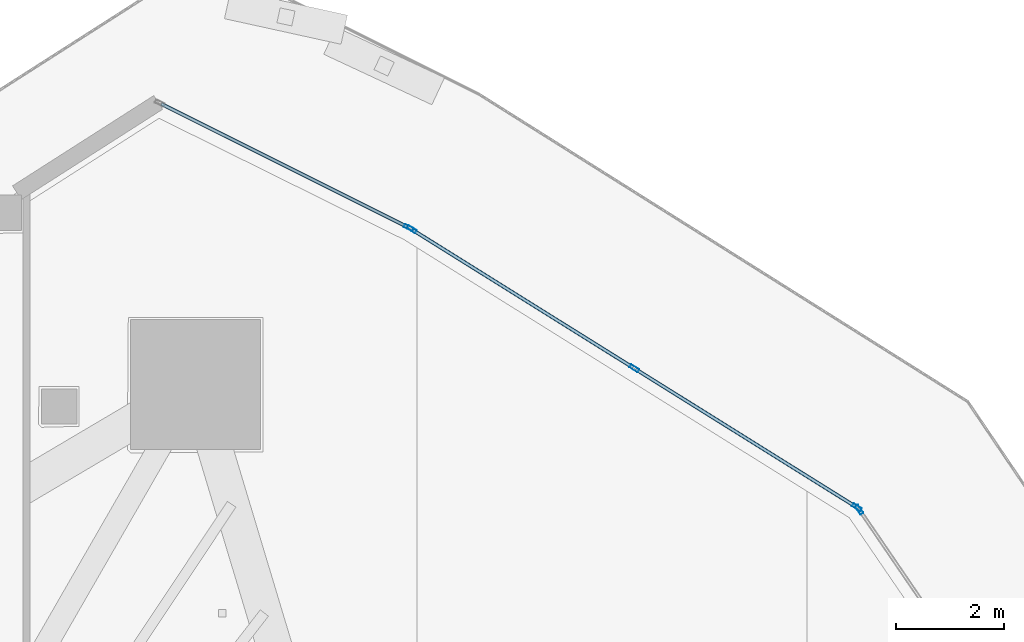
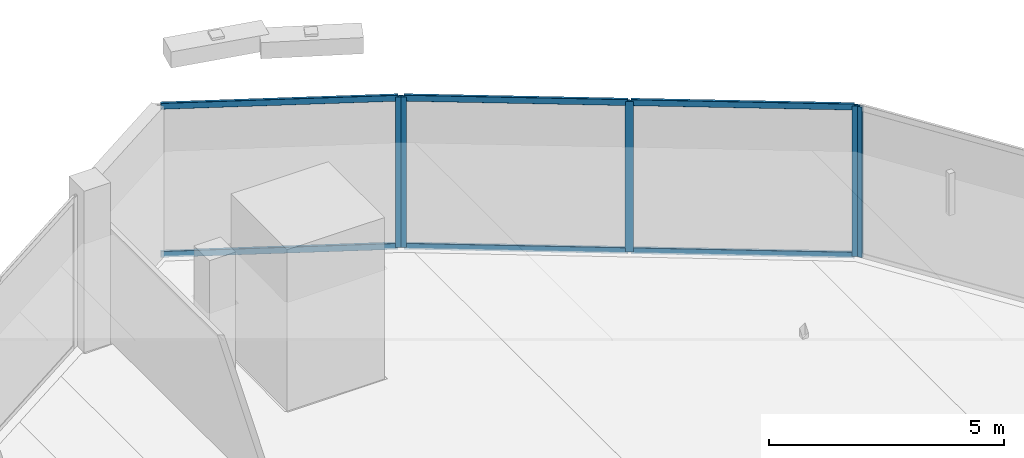
# One storey, part 23 of 45: 11 members, 3 elements without a shape of their own.
"""IFC4 building model written with IfcOpenShell, lengths in metres."""

import ifcopenshell
import ifcopenshell.guid

model = None  # the IFC model being written
_history = None  # IfcOwnerHistory: only IFC2X3 demands one
_inside = {}  # id of a spatial element -> (the spatial element, [elements in it])
_under = {}  # id of a project, library or spatial element -> (it, [spatial elements below it])
_declared = {}  # id of a project -> (the project, [libraries it declares])
_typed = {}  # id of a type object -> (the type object, [elements of that type])
_made_of = {}  # id of a material, layer set ... -> (it, [elements and type objects made of it])


def new_model(schema):
    """Start an empty IFC model of exactly this schema.

    Asked for "IFC4X3", IfcOpenShell would pick the latest addendum, in which some entities
    have other attributes; the version numbers below select the first issue.
    IFC2X3 requires an IfcOwnerHistory on every rooted entity: one is made here for all.
    """
    global model, _history
    if schema == "IFC4X3":
        model = ifcopenshell.file(schema_version=(4, 3, 0, 0))
    else:
        model = ifcopenshell.file(schema=schema)
    _inside.clear()
    _under.clear()
    _declared.clear()
    _typed.clear()
    _made_of.clear()
    _history = None
    if model.schema == "IFC2X3":
        org = make("IfcOrganization", Name="unknown")
        user = make(
            "IfcPersonAndOrganization",
            ThePerson=make("IfcPerson", FamilyName="unknown"),
            TheOrganization=org,
        )
        app = make(
            "IfcApplication",
            ApplicationDeveloper=org,
            Version="unknown",
            ApplicationFullName="unknown",
            ApplicationIdentifier="unknown",
        )
        _history = make(
            "IfcOwnerHistory",
            OwningUser=user,
            OwningApplication=app,
            ChangeAction="ADDED",
            CreationDate=0,
        )
    return model


def make(cls, **values):
    """One entity of the class cls with the attributes given. An attribute that is None is left unset."""
    return model.create_entity(
        cls, **{name: value for name, value in values.items() if value is not None}
    )


def rooted(cls, **values):
    """An entity with a GlobalId (a new one), such as an element, a storey or a relation."""
    return make(cls, GlobalId=ifcopenshell.guid.new(), OwnerHistory=_history, **values)


def si_unit(unit_type, name, prefix=None):
    """IfcSIUnit, for example si_unit("LENGTHUNIT", "METRE", prefix="MILLI")."""
    return make("IfcSIUnit", UnitType=unit_type, Prefix=prefix, Name=name)


def assignment(units):
    """IfcUnitAssignment: the units of a project."""
    return None if units is None else make("IfcUnitAssignment", Units=units)


def point(xyz):
    """IfcCartesianPoint."""
    return None if xyz is None else make("IfcCartesianPoint", Coordinates=xyz)


def direction(xyz):
    """IfcDirection."""
    return None if xyz is None else make("IfcDirection", DirectionRatios=xyz)


def frame(location, z_axis=None, x_axis=None):
    """IfcAxis2Placement3D, a coordinate frame: its origin and axes. An axis left out is left unset."""
    return make(
        "IfcAxis2Placement3D",
        Location=point(location),
        Axis=direction(z_axis),
        RefDirection=direction(x_axis),
    )


def frame_2d(location, x_axis=None):
    """IfcAxis2Placement2D, a coordinate frame in the plane: its origin and x axis."""
    return make(
        "IfcAxis2Placement2D", Location=point(location), RefDirection=direction(x_axis)
    )


def origin():
    """The frame at (0, 0, 0) with its axes left unset."""
    return frame((0.0, 0.0, 0.0))


def origin_2d():
    """The frame at (0, 0) in the plane with its x axis left unset."""
    return frame_2d((0.0, 0.0))


def place(relative_to, where):
    """IfcLocalPlacement: puts the frame where relative to a parent placement (None: the world)."""
    return make(
        "IfcLocalPlacement", PlacementRelTo=relative_to, RelativePlacement=where
    )


def context(
    kind, dimensions, precision=None, world=None, true_north=None, identifier=None
):
    """IfcGeometricRepresentationContext, for example the 3D "Model" context."""
    return make(
        "IfcGeometricRepresentationContext",
        ContextIdentifier=identifier,
        ContextType=kind,
        CoordinateSpaceDimension=dimensions,
        Precision=precision,
        WorldCoordinateSystem=world,
        TrueNorth=true_north,
    )


def subcontext(parent, identifier, kind, view, scale=None):
    """IfcGeometricRepresentationSubContext, for example "Body" below "Model"."""
    return make(
        "IfcGeometricRepresentationSubContext",
        ContextIdentifier=identifier,
        ContextType=kind,
        ParentContext=parent,
        TargetScale=scale,
        TargetView=view,
    )


def project(units=None, contexts=None):
    """IfcProject with its units and contexts."""
    return rooted(
        "IfcProject",
        Name="project",
        RepresentationContexts=contexts,
        UnitsInContext=assignment(units),
    )


def spatial(cls, under=None, at=None, **own):
    """A site, building, storey or space (cls), placed at a placement, below another one or the project."""
    s = rooted(cls, ObjectPlacement=at, **own)
    if under is not None:
        _under.setdefault(under.id(), (under, []))[1].append(s)
    return s


def profile(cls, at=None, kind="AREA", **sizes):
    """A parametric profile (cls). Its sizes go by their IFC names, for example OverallWidth=200.0."""
    return make(cls, ProfileType=kind, Position=at, **sizes)


def hollow_rectangle(**sizes):
    """IfcRectangleHollowProfileDef."""
    return profile("IfcRectangleHollowProfileDef", **sizes)


def extrude(swept, where, along, depth):
    """IfcExtrudedAreaSolid: the profile swept, set in the frame where, extruded along a direction by depth."""
    return make(
        "IfcExtrudedAreaSolid",
        SweptArea=swept,
        Position=where,
        ExtrudedDirection=direction(along),
        Depth=depth,
    )


def shape(context_of_items, identifier, shape_type, items):
    """IfcShapeRepresentation: the items that make up one representation, for example the "Body"."""
    return make(
        "IfcShapeRepresentation",
        ContextOfItems=context_of_items,
        RepresentationIdentifier=identifier,
        RepresentationType=shape_type,
        Items=items,
    )


def material(Name=None, Category=None):
    """IfcMaterial."""
    return make("IfcMaterial", Name=Name, Category=Category)


def layer(
    of_material, thickness, ventilated=None, Name=None, Category=None, Priority=None
):
    """IfcMaterialLayer: one layer of a wall or slab, of a material (None: an air gap)."""
    return make(
        "IfcMaterialLayer",
        Material=of_material,
        LayerThickness=thickness,
        IsVentilated=ventilated,
        Name=Name,
        Category=Category,
        Priority=Priority,
    )


def layer_set(layers, Name=None):
    """IfcMaterialLayerSet."""
    return make("IfcMaterialLayerSet", MaterialLayers=layers, LayerSetName=Name)


def material_profile(
    of_material, cross_section, Name=None, Category=None, Priority=None
):
    """IfcMaterialProfile: a cross section and its material."""
    return make(
        "IfcMaterialProfile",
        Name=Name,
        Material=of_material,
        Profile=cross_section,
        Priority=Priority,
        Category=Category,
    )


def profile_set(profiles, Name=None, composite=None):
    """IfcMaterialProfileSet."""
    return make(
        "IfcMaterialProfileSet",
        Name=Name,
        MaterialProfiles=profiles,
        CompositeProfile=composite,
    )


def made_of(thing, what):
    """Note that an element or type object is made of a material, layer set ...; save() writes the relation."""
    if what is not None:
        _made_of.setdefault(what.id(), (what, []))[1].append(thing)
    return thing


def type_object(cls, material=None, **own):
    """A type object (cls), such as IfcWallType, which elements share."""
    return made_of(rooted(cls, **own), material)


def element(
    cls,
    number,
    at=None,
    inside=None,
    cuts=None,
    type_object=None,
    material=None,
    context=None,
    identifier="Body",
    shape_type=None,
    held_by="IfcProductDefinitionShape",
    body=None,
    shapes=None,
    **own,
):
    """One element of the class cls, such as IfcWall. Its Tag is "e" and its number.

    at: its placement. inside: the storey or other place that contains it. cuts: it is an
    opening in that element (IfcRelVoidsElement). A single representation is given by context,
    identifier, shape_type and body (its items); several are given by shapes. held_by: the class
    of the entity that holds the representations. save() writes the other relations.
    """
    e = rooted(cls, Tag="e%d" % number, ObjectPlacement=at, **own)
    if body is not None:
        shapes = [shape(context, identifier, shape_type, body)]
    if shapes is not None:
        e.Representation = make(held_by, Representations=shapes)
    if inside is not None:
        _inside.setdefault(inside.id(), (inside, []))[1].append(e)
    if cuts is not None:
        rooted(
            "IfcRelVoidsElement", RelatingBuildingElement=cuts, RelatedOpeningElement=e
        )
    if type_object is not None:
        _typed.setdefault(type_object.id(), (type_object, []))[1].append(e)
    return made_of(e, material)


def aggregate(whole, parts):
    """IfcRelAggregates: a whole, such as a stair, and the parts it consists of."""
    return rooted("IfcRelAggregates", RelatingObject=whole, RelatedObjects=parts)


def save(model, path):
    """Write the relations noted so far, then the file.

    IfcRelAggregates (storeys below a building ...), IfcRelContainedInSpatialStructure (elements
    in a storey), IfcRelDefinesByType, IfcRelAssociatesMaterial and IfcRelDeclares: one each for
    every whole, place, type object, material and project.
    """
    for whole, parts in _under.values():
        aggregate(whole, parts)
    for where, things in _inside.values():
        rooted(
            "IfcRelContainedInSpatialStructure",
            RelatedElements=things,
            RelatingStructure=where,
        )
    for kind, things in _typed.values():
        rooted("IfcRelDefinesByType", RelatedObjects=things, RelatingType=kind)
    for what, things in _made_of.values():
        rooted("IfcRelAssociatesMaterial", RelatedObjects=things, RelatingMaterial=what)
    for by, libraries in _declared.values():
        rooted("IfcRelDeclares", RelatingContext=by, RelatedDefinitions=libraries)
    model.write(path)


model = new_model("IFC4")

# Units and contexts
model_context = context("Model", 3, precision=1e-05, world=origin(), true_north=direction((0.0, 1.0)))
body_context = subcontext(model_context, "Body", "Model", "MODEL_VIEW")
ifc_project = project(units=[si_unit("LENGTHUNIT", "METRE"), si_unit("AREAUNIT", "SQUARE_METRE"), si_unit("VOLUMEUNIT", "CUBIC_METRE"), si_unit("PLANEANGLEUNIT", "RADIAN"), si_unit("MASSUNIT", "GRAM", prefix="KILO")], contexts=[model_context])

# Site, building, storey
site_placement = place(None, origin())
site = spatial("IfcSite", under=ifc_project, at=site_placement, CompositionType="ELEMENT")
building_placement = place(site_placement, origin())
building = spatial("IfcBuilding", under=site, at=building_placement, Name="Qorvath Tower", CompositionType="ELEMENT")
storey_placement = place(building_placement, frame((0.0, 0.0, 66.0)))
storey = spatial("IfcBuildingStorey", under=building, at=storey_placement, Name="L14", CompositionType="ELEMENT", Elevation=66.0)

# Curtain wall, member
ifc_material_1 = material(Name="Anodised aluminium and triple low-E glass", Category="aluminium")
ifc_layer = layer(ifc_material_1, 0.179931640625)
ifc_layer_set = layer_set([ifc_layer], Name="CW-SYS-2")
curtain_wall_type = type_object("IfcCurtainWallType", Name="CW-SYS-2", PredefinedType="NOTDEFINED", material=ifc_layer_set)
curtain_wall_1_placement = place(storey_placement, origin())
curtain_wall_1 = element("IfcCurtainWall", 1, at=curtain_wall_1_placement, inside=storey, type_object=curtain_wall_type, Name="Curtain Wall CW-2 CW-T-L14-13.1", PredefinedType="NOTDEFINED")
ifc_material_2 = material(Name="Anodised aluminium 6063-T6", Category="aluminium")
ifc_material_profile_1 = material_profile(ifc_material_2, hollow_rectangle(XDim=0.06494140625, YDim=0.179931640625, WallThickness=0.00341796875, InnerFilletRadius=0.00341796875, OuterFilletRadius=0.007080078125, at=origin_2d()), Name="CWM 180x65")
ifc_profile_set_1 = profile_set([ifc_material_profile_1], Name="Anodised aluminium 6063-T6")
member_type_1 = type_object("IfcMemberType", Name="CWM-180", PredefinedType="MULLION", material=ifc_profile_set_1)
member_1_placement = place(storey_placement, frame((-2.224853515625, 25.023681640625, 0.0), z_axis=(0.0, 0.0, 1.0), x_axis=(-0.825792265854, -0.563974408689, 0.0)))
member_1 = element("IfcMember", 2, at=member_1_placement, type_object=member_type_1, Name="CW-2 mullion 2", PredefinedType="MULLION", context=body_context, shape_type="SweptSolid", body=[
    extrude(hollow_rectangle(XDim=0.06494140625, YDim=0.179931640625, WallThickness=0.00341796875, InnerFilletRadius=0.00341796875, OuterFilletRadius=0.007080078125, at=origin_2d()), origin(), (0.0, 0.0, 1.0), 3.919921875),
])
aggregate(curtain_wall_1, [member_1])

# Curtain wall, members
curtain_wall_2_placement = place(storey_placement, origin())
curtain_wall_2 = element("IfcCurtainWall", 3, at=curtain_wall_2_placement, inside=storey, type_object=curtain_wall_type, Name="Curtain Wall CW-2 CW-T-L14-14.1", PredefinedType="NOTDEFINED")
member_2_placement = place(storey_placement, frame((-2.270751953125, 25.067626953125, 0.0), z_axis=(0.0, 0.0, 1.0), x_axis=(-0.529686145055, -0.848193720642, 0.0)))
member_2 = element("IfcMember", 4, at=member_2_placement, type_object=member_type_1, Name="CW-2 mullion 1", PredefinedType="MULLION", context=body_context, shape_type="SweptSolid", body=[
    extrude(hollow_rectangle(XDim=0.06494140625, YDim=0.179931640625, WallThickness=0.00341796875, InnerFilletRadius=0.00341796875, OuterFilletRadius=0.007080078125, at=origin_2d()), origin(), (0.0, 0.0, 1.0), 3.919921875),
])
member_3_placement = place(storey_placement, frame((-6.375244140625, 27.630859375, 0.0), z_axis=(0.0, 0.0, 1.0), x_axis=(-0.529686145055, -0.848193720642, 0.0)))
member_3 = element("IfcMember", 5, at=member_3_placement, type_object=member_type_1, Name="CW-2 mullion 2", PredefinedType="MULLION", context=body_context, shape_type="SweptSolid", body=[
    extrude(hollow_rectangle(XDim=0.06494140625, YDim=0.179931640625, WallThickness=0.00341796875, InnerFilletRadius=0.00341796875, OuterFilletRadius=0.007080078125, at=origin_2d()), origin(), (0.0, 0.0, 1.0), 3.919921875),
])
member_4_placement = place(storey_placement, frame((-10.4794921875, 30.194091796875, 0.0), z_axis=(0.0, 0.0, 1.0), x_axis=(-0.529686145055, -0.848193720642, 0.0)))
member_4 = element("IfcMember", 6, at=member_4_placement, type_object=member_type_1, Name="CW-2 mullion 3", PredefinedType="MULLION", context=body_context, shape_type="SweptSolid", body=[
    extrude(hollow_rectangle(XDim=0.06494140625, YDim=0.179931640625, WallThickness=0.00341796875, InnerFilletRadius=0.00341796875, OuterFilletRadius=0.007080078125, at=origin_2d()), origin(), (0.0, 0.0, 1.0), 3.919921875),
])

# Curtain wall, member
curtain_wall_3_placement = place(storey_placement, origin())
curtain_wall_3 = element("IfcCurtainWall", 7, at=curtain_wall_3_placement, inside=storey, type_object=curtain_wall_type, Name="Curtain Wall CW-2 CW-T-L14-15.1", PredefinedType="NOTDEFINED")
member_5_placement = place(storey_placement, frame((-10.5361328125, 30.225830078125, 0.0), z_axis=(0.0, 0.0, 1.0), x_axis=(-0.447221292931, -0.894423342243, 0.0)))
member_5 = element("IfcMember", 8, at=member_5_placement, type_object=member_type_1, Name="CW-2 mullion 1", PredefinedType="MULLION", context=body_context, shape_type="SweptSolid", body=[
    extrude(hollow_rectangle(XDim=0.06494140625, YDim=0.179931640625, WallThickness=0.00341796875, InnerFilletRadius=0.00341796875, OuterFilletRadius=0.007080078125, at=origin_2d()), origin(), (0.0, 0.0, 1.0), 3.919921875),
])

# Member
ifc_material_3 = material(Name="Anodised aluminium 6063-T6", Category="aluminium")
ifc_material_profile_2 = material_profile(ifc_material_3, hollow_rectangle(XDim=0.06494140625, YDim=0.159912109375, WallThickness=0.00341796875, InnerFilletRadius=0.00341796875, OuterFilletRadius=0.007080078125, at=origin_2d()), Name="CWT 160x65")
ifc_profile_set_2 = profile_set([ifc_material_profile_2], Name="Anodised aluminium 6063-T6")
member_type_2 = type_object("IfcMemberType", Name="CWT-160", PredefinedType="USERDEFINED", material=ifc_profile_set_2)
member_6_placement = place(storey_placement, frame((-2.29833984375, 25.0849609375, 0.032470703125), z_axis=(-0.848210840974, 0.529658729046, 0.0), x_axis=(-0.529658729046, -0.848210840974, 0.0)))
member_6 = element("IfcMember", 9, at=member_6_placement, type_object=member_type_2, Name="CW-2 transom 1.1", ObjectType="TRANSOM", PredefinedType="USERDEFINED", context=body_context, shape_type="SweptSolid", body=[
    extrude(hollow_rectangle(XDim=0.06494140625, YDim=0.159912109375, WallThickness=0.00341796875, InnerFilletRadius=0.00341796875, OuterFilletRadius=0.007080078125, at=origin_2d()), origin(), (0.0, 0.0, 1.0), 4.77392578125),
])

member_7_placement = place(storey_placement, frame((-2.29833984375, 25.0849609375, 3.887451171875), z_axis=(-0.848210840974, 0.529658729046, 0.0), x_axis=(-0.529658729046, -0.848210840974, 0.0)))
member_7 = element("IfcMember", 10, at=member_7_placement, type_object=member_type_2, Name="CW-2 transom 1.2", ObjectType="TRANSOM", PredefinedType="USERDEFINED", context=body_context, shape_type="SweptSolid", body=[
    extrude(hollow_rectangle(XDim=0.06494140625, YDim=0.159912109375, WallThickness=0.00341796875, InnerFilletRadius=0.00341796875, OuterFilletRadius=0.007080078125, at=origin_2d()), origin(), (0.0, 0.0, 1.0), 4.77392578125),
])

member_8_placement = place(storey_placement, frame((-6.40283203125, 27.64794921875, 0.032470703125), z_axis=(-0.848173516131, 0.529718497443, 0.0), x_axis=(-0.529718497443, -0.848173516131, 0.0)))
member_8 = element("IfcMember", 11, at=member_8_placement, type_object=member_type_2, Name="CW-2 transom 2.1", ObjectType="TRANSOM", PredefinedType="USERDEFINED", context=body_context, shape_type="SweptSolid", body=[
    extrude(hollow_rectangle(XDim=0.06494140625, YDim=0.159912109375, WallThickness=0.00341796875, InnerFilletRadius=0.00341796875, OuterFilletRadius=0.007080078125, at=origin_2d()), origin(), (0.0, 0.0, 1.0), 4.77392578125),
])

member_9_placement = place(storey_placement, frame((-6.40283203125, 27.64794921875, 3.887451171875), z_axis=(-0.848173516131, 0.529718497443, 0.0), x_axis=(-0.529718497443, -0.848173516131, 0.0)))
member_9 = element("IfcMember", 12, at=member_9_placement, type_object=member_type_2, Name="CW-2 transom 2.2", ObjectType="TRANSOM", PredefinedType="USERDEFINED", context=body_context, shape_type="SweptSolid", body=[
    extrude(hollow_rectangle(XDim=0.06494140625, YDim=0.159912109375, WallThickness=0.00341796875, InnerFilletRadius=0.00341796875, OuterFilletRadius=0.007080078125, at=origin_2d()), origin(), (0.0, 0.0, 1.0), 4.77392578125),
])

aggregate(curtain_wall_2, [member_2, member_3, member_4, member_6, member_7, member_8, member_9])

member_10_placement = place(storey_placement, frame((-10.565185546875, 30.240234375, 0.032470703125), z_axis=(-0.894427191, 0.4472135955, 0.0), x_axis=(-0.4472135955, -0.894427191, 0.0)))
member_10 = element("IfcMember", 13, at=member_10_placement, type_object=member_type_2, Name="CW-2 transom 1.1", ObjectType="TRANSOM", PredefinedType="USERDEFINED", context=body_context, shape_type="SweptSolid", body=[
    extrude(hollow_rectangle(XDim=0.06494140625, YDim=0.159912109375, WallThickness=0.00341796875, InnerFilletRadius=0.00341796875, OuterFilletRadius=0.007080078125, at=origin_2d()), origin(), (0.0, 0.0, 1.0), 5.066650390625),
])

member_11_placement = place(storey_placement, frame((-10.565185546875, 30.240234375, 3.887451171875), z_axis=(-0.894427191, 0.4472135955, 0.0), x_axis=(-0.4472135955, -0.894427191, 0.0)))
member_11 = element("IfcMember", 14, at=member_11_placement, type_object=member_type_2, Name="CW-2 transom 1.2", ObjectType="TRANSOM", PredefinedType="USERDEFINED", context=body_context, shape_type="SweptSolid", body=[
    extrude(hollow_rectangle(XDim=0.06494140625, YDim=0.159912109375, WallThickness=0.00341796875, InnerFilletRadius=0.00341796875, OuterFilletRadius=0.007080078125, at=origin_2d()), origin(), (0.0, 0.0, 1.0), 5.066650390625),
])

aggregate(curtain_wall_3, [member_5, member_10, member_11])

save(model, "model.ifc")
